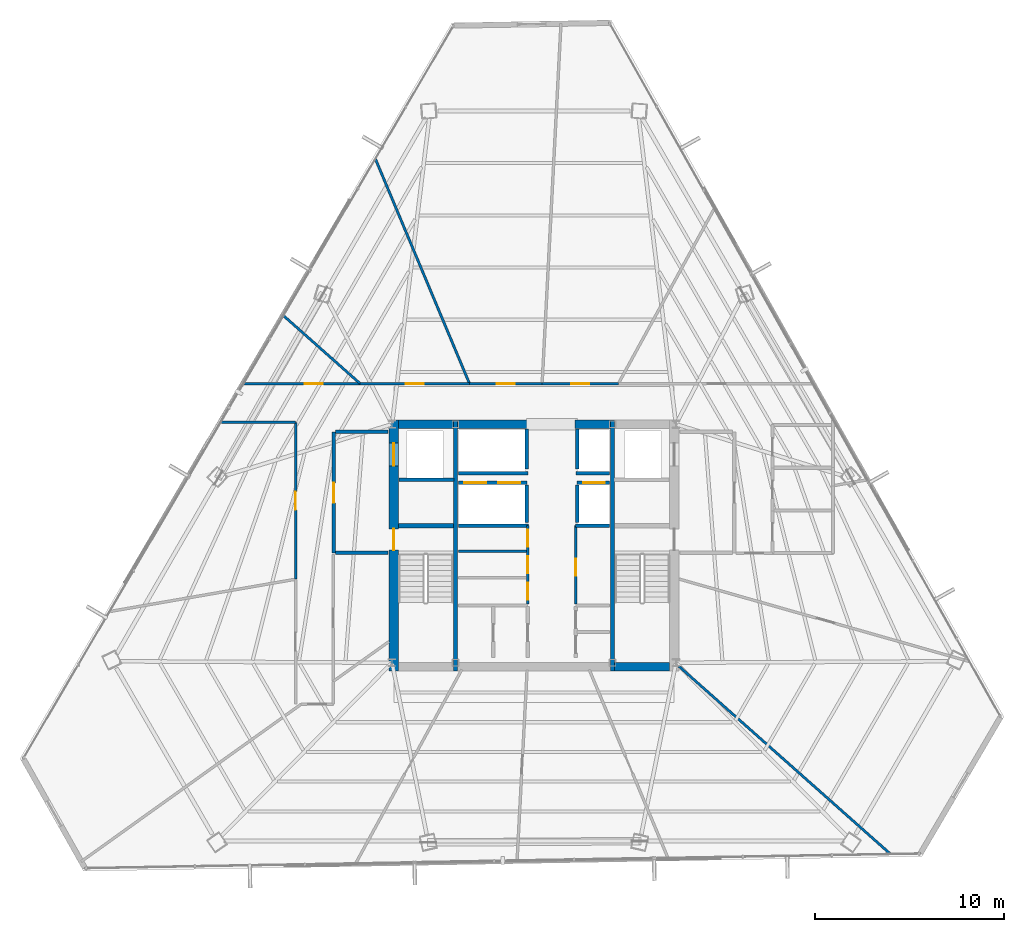
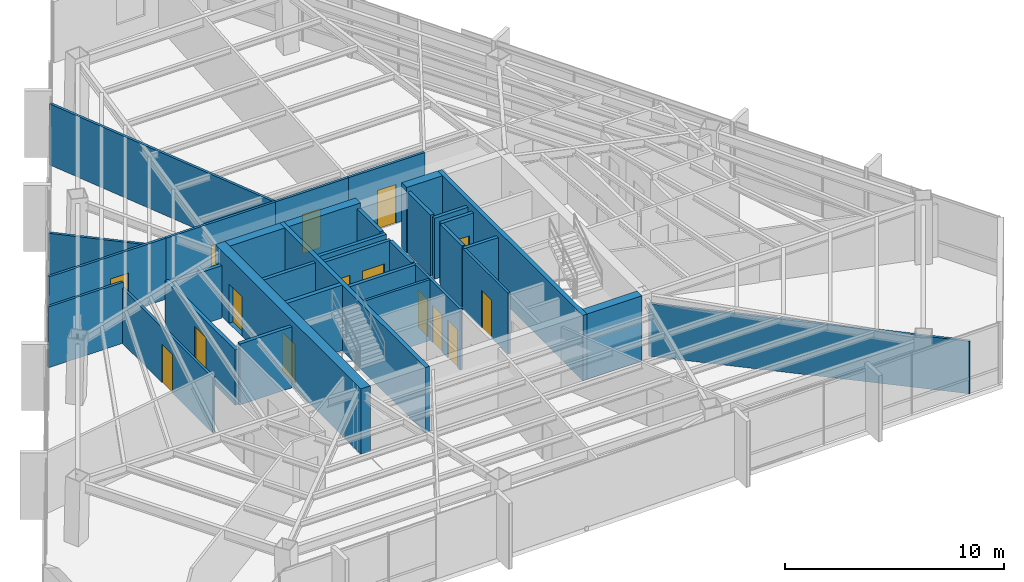
# One storey, part 36 of 42: 34 walls, 15 doors, 15 openings.
"""IFC4 building model written with IfcOpenShell, lengths in metres."""

from ifc_helpers import new_model, si_unit, direction, frame, frame_2d, origin, place, context, subcontext, project, spatial, rectangle, extrude, material, layer, layer_set, type_object, element, fill, save


model = new_model("IFC4")

# Units and contexts
model_context = context("Model", 3, precision=1e-05, world=origin(), true_north=direction((0.0, 1.0)))
body_context = subcontext(model_context, "Body", "Model", "MODEL_VIEW")
ifc_project = project(units=[si_unit("LENGTHUNIT", "METRE"), si_unit("AREAUNIT", "SQUARE_METRE"), si_unit("VOLUMEUNIT", "CUBIC_METRE"), si_unit("PLANEANGLEUNIT", "RADIAN"), si_unit("MASSUNIT", "GRAM", prefix="KILO")], contexts=[model_context])

# Site, building, storey
site_placement = place(None, origin())
site = spatial("IfcSite", under=ifc_project, at=site_placement, CompositionType="ELEMENT")
building_placement = place(site_placement, origin())
building = spatial("IfcBuilding", under=site, at=building_placement, Name="Caelisora Broadcast Tower", CompositionType="ELEMENT")
storey_placement = place(building_placement, frame((0.0, 0.0, 184.050048828125)))
storey = spatial("IfcBuildingStorey", under=building, at=storey_placement, Name="L48", CompositionType="ELEMENT", Elevation=184.050048828125)

# Wall, openings, doors
ifc_material_1 = material(Name="Concrete 50 MPa (AS 3600 S50)", Category="concrete")
ifc_layer_1 = layer(ifc_material_1, 0.5, Name="Concrete 50 MPa (AS 3600 S50)")
ifc_layer_set_1 = layer_set([ifc_layer_1], Name="Concrete 50 MPa (AS 3600 S50)")
wall_type_1 = type_object("IfcWallType", Name="CW2", PredefinedType="SHEAR", material=ifc_layer_set_1)
wall_1_placement = place(storey_placement, frame((30.590087890625, 16.949951171875, 0.0), z_axis=(0.0, 0.0, 1.0), x_axis=(0.0, 1.0, 0.0)))
wall_1 = element("IfcWall", 1, at=wall_1_placement, inside=storey, type_object=wall_type_1, Name="L48 core shear wall CW2", PredefinedType="SHEAR", context=body_context, shape_type="SweptSolid", body=[
    extrude(rectangle(XDim=13.275146484375, YDim=0.5, at=frame_2d((6.6376953125, 0.0))), origin(), (0.0, 0.0, 1.0), 3.64990234375),
])
opening_1_placement = place(wall_1_placement, frame((6.39990234375, 0.0, 0.0)))
opening_1 = element("IfcOpeningElement", 2, at=opening_1_placement, cuts=wall_1, Name="Opening FD04", PredefinedType="OPENING", context=body_context, shape_type="SweptSolid", body=[
    extrude(rectangle(XDim=1.1201171875, YDim=2.14990234375, at=frame_2d((0.56005859375, 1.074951171875))), frame((0.0, 0.261962890625, 0.0), z_axis=(0.0, -1.0, 0.0), x_axis=(1.0, 0.0, 0.0)), (0.0, 0.0, 1.0), 0.52392578125),
])
opening_2_placement = place(wall_1_placement, frame((10.85009765625, 0.0, 0.0)))
opening_2 = element("IfcOpeningElement", 3, at=opening_2_placement, cuts=wall_1, Name="Opening LD04", PredefinedType="OPENING", context=body_context, shape_type="SweptSolid", body=[
    extrude(rectangle(XDim=1.199951171875, YDim=2.199951171875, at=frame_2d((0.60009765625, 1.10009765625))), frame((0.0, 0.261962890625, 0.0), z_axis=(0.0, -1.0, 0.0), x_axis=(1.0, 0.0, 0.0)), (0.0, 0.0, 1.0), 0.52392578125),
])
ifc_material_2 = material(Name="Pressurised Fire-Isolated Stair Door", Category="steel")
door_type_1 = type_object("IfcDoorType", Name="FD04", OperationType="NOTDEFINED", PredefinedType="DOOR", material=ifc_material_2)
door_1_placement = place(opening_1_placement, origin())
door_1 = element("IfcDoor", 4, at=door_1_placement, inside=storey, type_object=door_type_1, Name="L48 door FD04 (L48-DR-ST1)", OperationType="SINGLE_SWING_LEFT", OverallHeight=2.14990234375, OverallWidth=1.1201171875, PredefinedType="DOOR", context=body_context, shape_type="SweptSolid", body=[
    extrude(rectangle(XDim=1.1201171875, YDim=2.14990234375, at=frame_2d((0.56005859375, 1.074951171875))), frame((0.0, 0.02490234375, 0.0), z_axis=(0.0, -1.0, 0.0), x_axis=(1.0, 0.0, 0.0)), (0.0, 0.0, 1.0), 0.050048828125),
])
fill(opening_1, door_1)
ifc_material_3 = material(Name="Emergency Firefighting Lift Sliding Landing Door", Category="steel")
door_type_2 = type_object("IfcDoorType", Name="LD04", OperationType="NOTDEFINED", PredefinedType="DOOR", material=ifc_material_3)
door_2_placement = place(opening_2_placement, origin())
door_2 = element("IfcDoor", 5, at=door_2_placement, inside=storey, type_object=door_type_2, Name="L48 door LD04 (L48-LD-FFL1)", OperationType="SLIDING_TO_LEFT", OverallHeight=2.199951171875, OverallWidth=1.199951171875, PredefinedType="DOOR", context=body_context, shape_type="SweptSolid", body=[
    extrude(rectangle(XDim=1.199951171875, YDim=2.199951171875, at=frame_2d((0.60009765625, 1.10009765625))), frame((0.0, 0.02490234375, 0.0), z_axis=(0.0, -1.0, 0.0), x_axis=(1.0, 0.0, 0.0)), (0.0, 0.0, 1.0), 0.050048828125),
])
fill(opening_2, door_2)

# Walls
ifc_layer_2 = layer(ifc_material_1, 0.449951171875, Name="Concrete 50 MPa (AS 3600 S50)")
ifc_layer_set_2 = layer_set([ifc_layer_2], Name="Concrete 50 MPa (AS 3600 S50)")
wall_type_2 = type_object("IfcWallType", Name="CW5", PredefinedType="SHEAR", material=ifc_layer_set_2)
for number, where, z_axis, x_axis, name in (
    (6, (42.260009765625, 17.175048828125, 0.0), (0.0, 0.0, 1.0), (1.0, 0.0, 0.0), "L48 core shear wall CW5"),
    (7, (30.840087890625, 30.0, 0.0), (0.0, 0.0, 1.0), (1.0, 0.0, 0.0), "L48 core shear wall CW5"),
):
    element("IfcWall", number, at=place(storey_placement, frame(where, z_axis=z_axis, x_axis=x_axis)), inside=storey, type_object=wall_type_2, Name=name, PredefinedType="SHEAR", context=body_context, shape_type="SweptSolid", body=[
        extrude(rectangle(XDim=2.89990234375, YDim=0.449951171875, at=frame_2d((1.449951171875, 0.0))), origin(), (0.0, 0.0, 1.0), 3.64990234375),
    ])
wall_2_placement = place(storey_placement, frame((33.9599609375, 30.0, 0.0), z_axis=(0.0, 0.0, 1.0), x_axis=(1.0, 0.0, 0.0)))
element("IfcWall", 8, at=wall_2_placement, inside=storey, type_object=wall_type_2, Name="L48 core shear wall CW5", PredefinedType="SHEAR", context=body_context, shape_type="SweptSolid", body=[
    extrude(rectangle(XDim=3.780029296875, YDim=0.449951171875, at=frame_2d((1.89013671875, 0.0))), origin(), (0.0, 0.0, 1.0), 3.64990234375),
])
wall_3_placement = place(storey_placement, frame((40.159912109375, 30.0, 0.0), z_axis=(0.0, 0.0, 1.0), x_axis=(1.0, 0.0, 0.0)))
element("IfcWall", 9, at=wall_3_placement, inside=storey, type_object=wall_type_2, Name="L48 core shear wall CW5", PredefinedType="SHEAR", context=body_context, shape_type="SweptSolid", body=[
    extrude(rectangle(XDim=1.880126953125, YDim=0.449951171875, at=frame_2d((0.93994140625, 0.0))), origin(), (0.0, 0.0, 1.0), 3.64990234375),
])
ifc_layer_3 = layer(ifc_material_1, 0.219970703125, Name="Concrete 50 MPa (AS 3600 S50)")
ifc_layer_set_3 = layer_set([ifc_layer_3], Name="Concrete 50 MPa (AS 3600 S50)")
wall_type_3 = type_object("IfcWallType", Name="CW7", PredefinedType="SHEAR", material=ifc_layer_set_3)
for number, where, z_axis, x_axis, name in (
    (10, (33.85009765625, 16.949951171875, 0.0), (0.0, 0.0, 1.0), (0.0, 1.0, 0.0), "L48 core shear wall CW7"),
    (11, (42.14990234375, 16.949951171875, 0.0), (0.0, 0.0, 1.0), (0.0, 1.0, 0.0), "L48 core shear wall CW7"),
):
    element("IfcWall", number, at=place(storey_placement, frame(where, z_axis=z_axis, x_axis=x_axis)), inside=storey, type_object=wall_type_3, Name=name, PredefinedType="SHEAR", context=body_context, shape_type="SweptSolid", body=[
        extrude(rectangle(XDim=13.275146484375, YDim=0.219970703125, at=frame_2d((6.6376953125, 0.0))), origin(), (0.0, 0.0, 1.0), 3.64990234375),
    ])
wall_4_placement = place(storey_placement, frame((30.840087890625, 24.639892578125, 0.0), z_axis=(0.0, 0.0, 1.0), x_axis=(1.0, 0.0, 0.0)))
element("IfcWall", 12, at=wall_4_placement, inside=storey, type_object=wall_type_3, Name="L48 core shear wall CW7", PredefinedType="SHEAR", context=body_context, shape_type="SweptSolid", body=[
    extrude(rectangle(XDim=2.89990234375, YDim=0.219970703125, at=frame_2d((1.449951171875, 0.0))), origin(), (0.0, 0.0, 1.0), 3.64990234375),
])

# Wall, openings, doors
ifc_material_4 = material(Name="Fire-Rated Gypsum Shaft and Compartment Wall", Category="gypsum")
ifc_layer_4 = layer(ifc_material_4, 0.179931640625, Name="Fire-Rated Gypsum Shaft and Compartment Wall")
ifc_layer_set_4 = layer_set([ifc_layer_4], Name="Fire-Rated Gypsum Shaft and Compartment Wall")
wall_type_4 = type_object("IfcWallType", Name="PW2", PredefinedType="PARTITIONING", material=ifc_layer_set_4)
wall_5_placement = place(storey_placement, frame((34.02001953125, 26.89990234375, 0.0), z_axis=(0.0, 0.0, 1.0), x_axis=(1.0, 0.0, 0.0)))
wall_5 = element("IfcWall", 13, at=wall_5_placement, inside=storey, type_object=wall_type_4, Name="L48 fire compartment wall PW2", PredefinedType="PARTITIONING", context=body_context, shape_type="SweptSolid", body=[
    extrude(rectangle(XDim=3.60009765625, YDim=0.179931640625, at=frame_2d((1.800048828125, 0.0))), origin(), (0.0, 0.0, 1.0), 3.39990234375),
])
opening_3_placement = place(wall_5_placement, frame((0.300048828125, 0.0, 0.0)))
opening_3 = element("IfcOpeningElement", 14, at=opening_3_placement, cuts=wall_5, Name="Opening LD02", PredefinedType="OPENING", context=body_context, shape_type="SweptSolid", body=[
    extrude(rectangle(XDim=1.14990234375, YDim=2.199951171875, at=frame_2d((0.574951171875, 1.10009765625))), frame((0.0, 0.10205078125, 0.0), z_axis=(0.0, -1.0, 0.0), x_axis=(1.0, 0.0, 0.0)), (0.0, 0.0, 1.0), 0.203857421875),
])
opening_4_placement = place(wall_5_placement, frame((2.10009765625, 0.0, 0.0)))
opening_4 = element("IfcOpeningElement", 15, at=opening_4_placement, cuts=wall_5, Name="Opening LD02", PredefinedType="OPENING", context=body_context, shape_type="SweptSolid", body=[
    extrude(rectangle(XDim=1.14990234375, YDim=2.199951171875, at=frame_2d((0.574951171875, 1.10009765625))), frame((0.0, 0.10205078125, 0.0), z_axis=(0.0, -1.0, 0.0), x_axis=(1.0, 0.0, 0.0)), (0.0, 0.0, 1.0), 0.203857421875),
])
ifc_material_5 = material(Name="High-Speed Express Lift Sliding Landing Door", Category="steel")
door_type_3 = type_object("IfcDoorType", Name="LD02", OperationType="NOTDEFINED", PredefinedType="DOOR", material=ifc_material_5)
door_3_placement = place(opening_3_placement, origin())
door_3 = element("IfcDoor", 16, at=door_3_placement, inside=storey, type_object=door_type_3, Name="L48 door LD02 (L48-LD-PLM1)", OperationType="SLIDING_TO_LEFT", OverallHeight=2.199951171875, OverallWidth=1.14990234375, PredefinedType="DOOR", context=body_context, shape_type="SweptSolid", body=[
    extrude(rectangle(XDim=1.14990234375, YDim=2.199951171875, at=frame_2d((0.574951171875, 1.10009765625))), frame((0.0, 0.02490234375, 0.0), z_axis=(0.0, -1.0, 0.0), x_axis=(1.0, 0.0, 0.0)), (0.0, 0.0, 1.0), 0.050048828125),
])
fill(opening_3, door_3)
door_4_placement = place(opening_4_placement, origin())
door_4 = element("IfcDoor", 17, at=door_4_placement, inside=storey, type_object=door_type_3, Name="L48 door LD02 (L48-LD-PLM2)", OperationType="SLIDING_TO_RIGHT", OverallHeight=2.199951171875, OverallWidth=1.14990234375, PredefinedType="DOOR", context=body_context, shape_type="SweptSolid", body=[
    extrude(rectangle(XDim=1.14990234375, YDim=2.199951171875, at=frame_2d((0.574951171875, 1.10009765625))), frame((0.0, 0.02490234375, 0.0), z_axis=(0.0, -1.0, 0.0), x_axis=(1.0, 0.0, 0.0)), (0.0, 0.0, 1.0), 0.050048828125),
])
fill(opening_4, door_4)

# Wall, opening, door
wall_6_placement = place(storey_placement, frame((40.280029296875, 26.89990234375, 0.0), z_axis=(0.0, 0.0, 1.0), x_axis=(1.0, 0.0, 0.0)))
wall_6 = element("IfcWall", 18, at=wall_6_placement, inside=storey, type_object=wall_type_4, Name="L48 fire compartment wall PW2", PredefinedType="PARTITIONING", context=body_context, shape_type="SweptSolid", body=[
    extrude(rectangle(XDim=1.699951171875, YDim=0.179931640625, at=frame_2d((0.85009765625, 0.0))), origin(), (0.0, 0.0, 1.0), 3.39990234375),
])
opening_5_placement = place(wall_6_placement, frame((0.320068359375, 0.0, 0.0)))
opening_5 = element("IfcOpeningElement", 19, at=opening_5_placement, cuts=wall_6, Name="Opening LD02", PredefinedType="OPENING", context=body_context, shape_type="SweptSolid", body=[
    extrude(rectangle(XDim=1.14990234375, YDim=2.199951171875, at=frame_2d((0.574951171875, 1.10009765625))), frame((0.0, 0.10205078125, 0.0), z_axis=(0.0, -1.0, 0.0), x_axis=(1.0, 0.0, 0.0)), (0.0, 0.0, 1.0), 0.203857421875),
])
door_5_placement = place(opening_5_placement, origin())
door_5 = element("IfcDoor", 20, at=door_5_placement, inside=storey, type_object=door_type_3, Name="L48 door LD02 (L48-LD-PLM3)", OperationType="SLIDING_TO_LEFT", OverallHeight=2.199951171875, OverallWidth=1.14990234375, PredefinedType="DOOR", context=body_context, shape_type="SweptSolid", body=[
    extrude(rectangle(XDim=1.14990234375, YDim=2.199951171875, at=frame_2d((0.574951171875, 1.10009765625))), frame((0.0, 0.02490234375, 0.0), z_axis=(0.0, -1.0, 0.0), x_axis=(1.0, 0.0, 0.0)), (0.0, 0.0, 1.0), 0.050048828125),
])
fill(opening_5, door_5)

# Walls
for number, where, z_axis, x_axis, name in (
    (21, (37.6201171875, 24.800048828125, 0.0), (0.0, 0.0, 1.0), (0.0, 1.0, 0.0), "L48 fire compartment wall PW2"),
    (22, (40.280029296875, 24.800048828125, 0.0), (0.0, 0.0, 1.0), (0.0, 1.0, 0.0), "L48 fire compartment wall PW2"),
):
    element("IfcWall", number, at=place(storey_placement, frame(where, z_axis=z_axis, x_axis=x_axis)), inside=storey, type_object=wall_type_4, Name=name, PredefinedType="PARTITIONING", context=body_context, shape_type="SweptSolid", body=[
        extrude(rectangle(XDim=2.0, YDim=0.179931640625, at=frame_2d((1.0, 0.0))), origin(), (0.0, 0.0, 1.0), 3.39990234375),
    ])
wall_7_placement = place(storey_placement, frame((34.02001953125, 24.639892578125, 0.0), z_axis=(0.0, 0.0, 1.0), x_axis=(1.0, 0.0, 0.0)))
element("IfcWall", 23, at=wall_7_placement, inside=storey, type_object=wall_type_4, Name="L48 fire compartment wall PW2", PredefinedType="PARTITIONING", context=body_context, shape_type="SweptSolid", body=[
    extrude(rectangle(XDim=3.679931640625, YDim=0.179931640625, at=frame_2d((1.83984375, 0.0))), origin(), (0.0, 0.0, 1.0), 3.39990234375),
])
wall_8_placement = place(storey_placement, frame((40.199951171875, 24.639892578125, 0.0), z_axis=(0.0, 0.0, 1.0), x_axis=(1.0, 0.0, 0.0)))
element("IfcWall", 24, at=wall_8_placement, inside=storey, type_object=wall_type_4, Name="L48 fire compartment wall PW2", PredefinedType="PARTITIONING", context=body_context, shape_type="SweptSolid", body=[
    extrude(rectangle(XDim=1.780029296875, YDim=0.179931640625, at=frame_2d((0.89013671875, 0.0))), origin(), (0.0, 0.0, 1.0), 3.39990234375),
])
wall_9_placement = place(storey_placement, frame((34.02001953125, 27.419921875, 0.0), z_axis=(0.0, 0.0, 1.0), x_axis=(1.0, 0.0, 0.0)))
element("IfcWall", 25, at=wall_9_placement, inside=storey, type_object=wall_type_4, Name="L48 fire compartment wall PW2", PredefinedType="PARTITIONING", context=body_context, shape_type="SweptSolid", body=[
    extrude(rectangle(XDim=3.659912109375, YDim=0.179931640625, at=frame_2d((1.830078125, 0.0))), origin(), (0.0, 0.0, 1.0), 3.39990234375),
])
wall_10_placement = place(storey_placement, frame((40.219970703125, 27.419921875, 0.0), z_axis=(0.0, 0.0, 1.0), x_axis=(1.0, 0.0, 0.0)))
element("IfcWall", 26, at=wall_10_placement, inside=storey, type_object=wall_type_4, Name="L48 fire compartment wall PW2", PredefinedType="PARTITIONING", context=body_context, shape_type="SweptSolid", body=[
    extrude(rectangle(XDim=1.760009765625, YDim=0.179931640625, at=frame_2d((0.8798828125, 0.0))), origin(), (0.0, 0.0, 1.0), 3.39990234375),
])
for number, where, z_axis, x_axis, name in (
    (27, (37.6201171875, 27.639892578125, 0.0), (0.0, 0.0, 1.0), (0.0, 1.0, 0.0), "L48 fire compartment wall PW2"),
    (28, (40.280029296875, 27.639892578125, 0.0), (0.0, 0.0, 1.0), (0.0, 1.0, 0.0), "L48 fire compartment wall PW2"),
):
    element("IfcWall", number, at=place(storey_placement, frame(where, z_axis=z_axis, x_axis=x_axis)), inside=storey, type_object=wall_type_4, Name=name, PredefinedType="PARTITIONING", context=body_context, shape_type="SweptSolid", body=[
        extrude(rectangle(XDim=2.110107421875, YDim=0.179931640625, at=frame_2d((1.05517578125, 0.0))), origin(), (0.0, 0.0, 1.0), 3.39990234375),
    ])

# Wall, opening, door
wall_11_placement = place(storey_placement, frame((27.419921875, 23.199951171875, 0.0), z_axis=(0.0, 0.0, 1.0), x_axis=(0.0, 1.0, 0.0)))
wall_11 = element("IfcWall", 29, at=wall_11_placement, inside=storey, type_object=wall_type_4, Name="L48 fire compartment wall PW2", PredefinedType="PARTITIONING", context=body_context, shape_type="SweptSolid", body=[
    extrude(rectangle(XDim=6.400146484375, YDim=0.179931640625, at=frame_2d((3.2001953125, 0.0))), origin(), (0.0, 0.0, 1.0), 3.07763671875),
])
opening_6_placement = place(wall_11_placement, frame((2.64990234375, 0.0, 0.0)))
opening_6 = element("IfcOpeningElement", 30, at=opening_6_placement, cuts=wall_11, Name="Opening FD02", PredefinedType="OPENING", context=body_context, shape_type="SweptSolid", body=[
    extrude(rectangle(XDim=1.050048828125, YDim=2.14990234375, at=frame_2d((0.52490234375, 1.074951171875))), frame((0.0, 0.10205078125, 0.0), z_axis=(0.0, -1.0, 0.0), x_axis=(1.0, 0.0, 0.0)), (0.0, 0.0, 1.0), 0.203857421875),
])
ifc_material_6 = material(Name="Single-Leaf Steel Fire Lobby Door", Category="steel")
door_type_4 = type_object("IfcDoorType", Name="FD02", OperationType="NOTDEFINED", PredefinedType="DOOR", material=ifc_material_6)
door_6_placement = place(opening_6_placement, origin())
door_6 = element("IfcDoor", 31, at=door_6_placement, inside=storey, type_object=door_type_4, Name="L48 door FD02 (L48-DR-P01D1)", OperationType="SINGLE_SWING_LEFT", OverallHeight=2.14990234375, OverallWidth=1.050048828125, PredefinedType="DOOR", context=body_context, shape_type="SweptSolid", body=[
    extrude(rectangle(XDim=1.050048828125, YDim=2.14990234375, at=frame_2d((0.52490234375, 1.074951171875))), frame((0.0, 0.02490234375, 0.0), z_axis=(0.0, -1.0, 0.0), x_axis=(1.0, 0.0, 0.0)), (0.0, 0.0, 1.0), 0.050048828125),
])
fill(opening_6, door_6)

# Walls
wall_12_placement = place(storey_placement, frame((27.52001953125, 23.199951171875, 0.0), z_axis=(0.0, 0.0, 1.0), x_axis=(1.0, 0.0, 0.0)))
element("IfcWall", 32, at=wall_12_placement, inside=storey, type_object=wall_type_4, Name="L48 fire compartment wall PW2", PredefinedType="PARTITIONING", context=body_context, shape_type="SweptSolid", body=[
    extrude(rectangle(XDim=2.760009765625, YDim=0.179931640625, at=frame_2d((1.3798828125, 0.0))), origin(), (0.0, 0.0, 1.0), 3.39990234375),
])
wall_13_placement = place(storey_placement, frame((27.52001953125, 29.60009765625, 0.0), z_axis=(0.0, 0.0, 1.0), x_axis=(1.0, 0.0, 0.0)))
element("IfcWall", 33, at=wall_13_placement, inside=storey, type_object=wall_type_4, Name="L48 fire compartment wall PW2", PredefinedType="PARTITIONING", context=body_context, shape_type="SweptSolid", body=[
    extrude(rectangle(XDim=2.760009765625, YDim=0.179931640625, at=frame_2d((1.3798828125, 0.0))), origin(), (0.0, 0.0, 1.0), 2.924560546875),
])
wall_14_placement = place(storey_placement, frame((30.860107421875, 27.070068359375, 0.0), z_axis=(0.0, 0.0, 1.0), x_axis=(1.0, 0.0, 0.0)))
element("IfcWall", 34, at=wall_14_placement, inside=storey, type_object=wall_type_4, Name="L48 fire compartment wall PW2", PredefinedType="PARTITIONING", context=body_context, shape_type="SweptSolid", body=[
    extrude(rectangle(XDim=2.89990234375, YDim=0.179931640625, at=frame_2d((1.449951171875, 0.0))), origin(), (0.0, 0.0, 1.0), 3.39990234375),
])
ifc_material_7 = material(Name="Acoustic Steel-Stud Plasterboard Partition", Category="gypsum")
ifc_layer_5 = layer(ifc_material_7, 0.1298828125, Name="Acoustic Steel-Stud Plasterboard Partition")
ifc_layer_set_5 = layer_set([ifc_layer_5], Name="Acoustic Steel-Stud Plasterboard Partition")
wall_type_5 = type_object("IfcWallType", Name="PW3", PredefinedType="PARTITIONING", material=ifc_layer_set_5)
wall_15_placement = place(storey_placement, frame((34.02001953125, 23.280029296875, 0.0), z_axis=(0.0, 0.0, 1.0), x_axis=(1.0, 0.0, 0.0)))
element("IfcWall", 35, at=wall_15_placement, inside=storey, type_object=wall_type_5, Name="L48 internal partition PW3", PredefinedType="PARTITIONING", context=body_context, shape_type="SweptSolid", body=[
    extrude(rectangle(XDim=3.580078125, YDim=0.1298828125, at=frame_2d((1.7900390625, 0.0))), origin(), (0.0, 0.0, 1.0), 3.39990234375),
])

# Wall, openings, doors
wall_16_placement = place(storey_placement, frame((37.679931640625, 20.5, 0.0), z_axis=(0.0, 0.0, 1.0), x_axis=(0.0, 1.0, 0.0)))
wall_16 = element("IfcWall", 36, at=wall_16_placement, inside=storey, type_object=wall_type_5, Name="L48 internal partition PW3", PredefinedType="PARTITIONING", context=body_context, shape_type="SweptSolid", body=[
    extrude(rectangle(XDim=4.139892578125, YDim=0.1298828125, at=frame_2d((2.06982421875, 0.0))), origin(), (0.0, 0.0, 1.0), 3.39990234375),
])
opening_7_placement = place(wall_16_placement, frame((0.219970703125, 0.0, 0.0)))
opening_7 = element("IfcOpeningElement", 37, at=opening_7_placement, cuts=wall_16, Name="Opening FD03", PredefinedType="OPENING", context=body_context, shape_type="SweptSolid", body=[
    extrude(rectangle(XDim=0.89990234375, YDim=2.10009765625, at=frame_2d((0.449951171875, 1.050048828125))), frame((0.0, 0.076904296875, 0.0), z_axis=(0.0, -1.0, 0.0), x_axis=(1.0, 0.0, 0.0)), (0.0, 0.0, 1.0), 0.15380859375),
])
opening_8_placement = place(wall_16_placement, frame((1.6201171875, 0.0, 0.0)))
opening_8 = element("IfcOpeningElement", 38, at=opening_8_placement, cuts=wall_16, Name="Opening FD03", PredefinedType="OPENING", context=body_context, shape_type="SweptSolid", body=[
    extrude(rectangle(XDim=0.89990234375, YDim=2.10009765625, at=frame_2d((0.449951171875, 1.050048828125))), frame((0.0, 0.076904296875, 0.0), z_axis=(0.0, -1.0, 0.0), x_axis=(1.0, 0.0, 0.0)), (0.0, 0.0, 1.0), 0.15380859375),
])
opening_9_placement = place(wall_16_placement, frame((3.02001953125, 0.0, 0.0)))
opening_9 = element("IfcOpeningElement", 39, at=opening_9_placement, cuts=wall_16, Name="Opening FD03", PredefinedType="OPENING", context=body_context, shape_type="SweptSolid", body=[
    extrude(rectangle(XDim=0.89990234375, YDim=2.10009765625, at=frame_2d((0.449951171875, 1.050048828125))), frame((0.0, 0.076904296875, 0.0), z_axis=(0.0, -1.0, 0.0), x_axis=(1.0, 0.0, 0.0)), (0.0, 0.0, 1.0), 0.15380859375),
])
ifc_material_8 = material(Name="Single-Leaf Steel Riser Fire Access Door", Category="steel")
door_type_5 = type_object("IfcDoorType", Name="FD03", OperationType="NOTDEFINED", PredefinedType="DOOR", material=ifc_material_8)
door_7_placement = place(opening_7_placement, origin())
door_7 = element("IfcDoor", 40, at=door_7_placement, inside=storey, type_object=door_type_5, Name="L48 door FD03 (L48-DR-P13D1)", OperationType="SINGLE_SWING_LEFT", OverallHeight=2.10009765625, OverallWidth=0.89990234375, PredefinedType="DOOR", context=body_context, shape_type="SweptSolid", body=[
    extrude(rectangle(XDim=0.89990234375, YDim=2.10009765625, at=frame_2d((0.449951171875, 1.050048828125))), frame((0.0, 0.02490234375, 0.0), z_axis=(0.0, -1.0, 0.0), x_axis=(1.0, 0.0, 0.0)), (0.0, 0.0, 1.0), 0.050048828125),
])
fill(opening_7, door_7)
door_8_placement = place(opening_8_placement, origin())
door_8 = element("IfcDoor", 41, at=door_8_placement, inside=storey, type_object=door_type_5, Name="L48 door FD03 (L48-DR-P13D2)", OperationType="SINGLE_SWING_RIGHT", OverallHeight=2.10009765625, OverallWidth=0.89990234375, PredefinedType="DOOR", context=body_context, shape_type="SweptSolid", body=[
    extrude(rectangle(XDim=0.89990234375, YDim=2.10009765625, at=frame_2d((0.449951171875, 1.050048828125))), frame((0.0, 0.02490234375, 0.0), z_axis=(0.0, -1.0, 0.0), x_axis=(1.0, 0.0, 0.0)), (0.0, 0.0, 1.0), 0.050048828125),
])
fill(opening_8, door_8)
door_9_placement = place(opening_9_placement, origin())
door_9 = element("IfcDoor", 42, at=door_9_placement, inside=storey, type_object=door_type_5, Name="L48 door FD03 (L48-DR-P13D3)", OperationType="SINGLE_SWING_LEFT", OverallHeight=2.10009765625, OverallWidth=0.89990234375, PredefinedType="DOOR", context=body_context, shape_type="SweptSolid", body=[
    extrude(rectangle(XDim=0.89990234375, YDim=2.10009765625, at=frame_2d((0.449951171875, 1.050048828125))), frame((0.0, 0.02490234375, 0.0), z_axis=(0.0, -1.0, 0.0), x_axis=(1.0, 0.0, 0.0)), (0.0, 0.0, 1.0), 0.050048828125),
])
fill(opening_9, door_9)

# Wall, opening, door
wall_17_placement = place(storey_placement, frame((40.199951171875, 20.5, 0.0), z_axis=(0.0, 0.0, 1.0), x_axis=(0.0, 1.0, 0.0)))
wall_17 = element("IfcWall", 43, at=wall_17_placement, inside=storey, type_object=wall_type_5, Name="L48 internal partition PW3", PredefinedType="PARTITIONING", context=body_context, shape_type="SweptSolid", body=[
    extrude(rectangle(XDim=4.139892578125, YDim=0.1298828125, at=frame_2d((2.06982421875, 0.0))), origin(), (0.0, 0.0, 1.0), 3.39990234375),
])
opening_10_placement = place(wall_17_placement, frame((1.5, 0.0, 0.0)))
opening_10 = element("IfcOpeningElement", 44, at=opening_10_placement, cuts=wall_17, Name="Opening FD03", PredefinedType="OPENING", context=body_context, shape_type="SweptSolid", body=[
    extrude(rectangle(XDim=0.89990234375, YDim=2.10009765625, at=frame_2d((0.449951171875, 1.050048828125))), frame((0.0, 0.076904296875, 0.0), z_axis=(0.0, -1.0, 0.0), x_axis=(1.0, 0.0, 0.0)), (0.0, 0.0, 1.0), 0.15380859375),
])
door_10_placement = place(opening_10_placement, origin())
door_10 = element("IfcDoor", 45, at=door_10_placement, inside=storey, type_object=door_type_5, Name="L48 door FD03 (L48-DR-P14D1)", OperationType="SINGLE_SWING_RIGHT", OverallHeight=2.10009765625, OverallWidth=0.89990234375, PredefinedType="DOOR", context=body_context, shape_type="SweptSolid", body=[
    extrude(rectangle(XDim=0.89990234375, YDim=2.10009765625, at=frame_2d((0.449951171875, 1.050048828125))), frame((0.0, 0.02490234375, 0.0), z_axis=(0.0, -1.0, 0.0), x_axis=(1.0, 0.0, 0.0)), (0.0, 0.0, 1.0), 0.050048828125),
])
fill(opening_10, door_10)

# Walls
wall_18_placement = place(storey_placement, frame((45.656005859375, 17.2099609375, 0.0), z_axis=(0.0, 0.0, 1.0), x_axis=(0.748005792128, -0.663692198947, 0.0)))
element("IfcWall", 46, at=wall_18_placement, inside=storey, type_object=wall_type_5, Name="L48 internal partition PW3", PredefinedType="PARTITIONING", context=body_context, shape_type="SweptSolid", body=[
    extrude(rectangle(XDim=14.964599609375, YDim=0.1298828125, at=frame_2d((7.482421875, 0.0))), origin(), (0.0, 0.0, 1.0), 2.924560546875),
])
wall_19_placement = place(storey_placement, frame((29.61767578125, 44.02587890625, 0.0), z_axis=(0.0, 0.0, 1.0), x_axis=(0.386205658776, -0.922412700004, 0.0)))
element("IfcWall", 47, at=wall_19_placement, inside=storey, type_object=wall_type_5, Name="L48 internal partition PW3", PredefinedType="PARTITIONING", context=body_context, shape_type="SweptSolid", body=[
    extrude(rectangle(XDim=12.869384765625, YDim=0.1298828125, at=frame_2d((6.4345703125, 0.0))), origin(), (0.0, 0.0, 1.0), 3.39990234375),
])

# Wall, opening, door
wall_20_placement = place(storey_placement, frame((25.39990234375, 30.094970703125, 0.0), z_axis=(0.0, 0.0, 1.0), x_axis=(0.0, -1.0, 0.0)))
wall_20 = element("IfcWall", 48, at=wall_20_placement, inside=storey, type_object=wall_type_5, Name="L48 internal partition PW3", PredefinedType="PARTITIONING", context=body_context, shape_type="SweptSolid", body=[
    extrude(rectangle(XDim=8.280029296875, YDim=0.1298828125, at=frame_2d((4.14013671875, 0.0))), origin(), (0.0, 0.0, 1.0), 3.07763671875),
])
opening_11_placement = place(wall_20_placement, frame((3.659912109375, 0.0, 0.0)))
opening_11 = element("IfcOpeningElement", 49, at=opening_11_placement, cuts=wall_20, Name="Opening D01", PredefinedType="OPENING", context=body_context, shape_type="SweptSolid", body=[
    extrude(rectangle(XDim=0.9599609375, YDim=2.14990234375, at=frame_2d((0.47998046875, 1.074951171875))), frame((0.0, 0.076904296875, 0.0), z_axis=(0.0, -1.0, 0.0), x_axis=(1.0, 0.0, 0.0)), (0.0, 0.0, 1.0), 0.15380859375),
])
ifc_material_9 = material(Name="Solid-Core Timber Acoustic Office Door", Category="wood")
door_type_6 = type_object("IfcDoorType", Name="D01", OperationType="NOTDEFINED", PredefinedType="DOOR", material=ifc_material_9)
door_11_placement = place(opening_11_placement, origin())
door_11 = element("IfcDoor", 50, at=door_11_placement, inside=storey, type_object=door_type_6, Name="L48 door D01 (L48-DR-P43D1)", OperationType="SINGLE_SWING_LEFT", OverallHeight=2.14990234375, OverallWidth=0.9599609375, PredefinedType="DOOR", context=body_context, shape_type="SweptSolid", body=[
    extrude(rectangle(XDim=0.9599609375, YDim=2.14990234375, at=frame_2d((0.47998046875, 1.074951171875))), frame((0.0, 0.02490234375, 0.0), z_axis=(0.0, -1.0, 0.0), x_axis=(1.0, 0.0, 0.0)), (0.0, 0.0, 1.0), 0.050048828125),
])
fill(opening_11, door_11)

wall_21_placement = place(storey_placement, frame((22.64501953125, 32.14990234375, 0.0), z_axis=(0.0, 0.0, 1.0), x_axis=(1.0, 0.0, 0.0)))
wall_21 = element("IfcWall", 51, at=wall_21_placement, inside=storey, type_object=wall_type_5, Name="L48 internal partition PW3", PredefinedType="PARTITIONING", context=body_context, shape_type="SweptSolid", body=[
    extrude(rectangle(XDim=6.159912109375, YDim=0.1298828125, at=frame_2d((3.080078125, 0.0))), origin(), (0.0, 0.0, 1.0), 3.39990234375),
])
opening_12_placement = place(wall_21_placement, frame((3.239990234375, 0.0, 0.0)))
opening_12 = element("IfcOpeningElement", 52, at=opening_12_placement, cuts=wall_21, Name="Opening D01", PredefinedType="OPENING", context=body_context, shape_type="SweptSolid", body=[
    extrude(rectangle(XDim=0.9599609375, YDim=2.14990234375, at=frame_2d((0.47998046875, 1.074951171875))), frame((0.0, 0.076904296875, 0.0), z_axis=(0.0, -1.0, 0.0), x_axis=(1.0, 0.0, 0.0)), (0.0, 0.0, 1.0), 0.15380859375),
])
door_12_placement = place(opening_12_placement, origin())
door_12 = element("IfcDoor", 53, at=door_12_placement, inside=storey, type_object=door_type_6, Name="L48 door D01 (L48-DR-P46D1)", OperationType="SINGLE_SWING_RIGHT", OverallHeight=2.14990234375, OverallWidth=0.9599609375, PredefinedType="DOOR", context=body_context, shape_type="SweptSolid", body=[
    extrude(rectangle(XDim=0.9599609375, YDim=2.14990234375, at=frame_2d((0.47998046875, 1.074951171875))), frame((0.0, 0.02490234375, 0.0), z_axis=(0.0, -1.0, 0.0), x_axis=(1.0, 0.0, 0.0)), (0.0, 0.0, 1.0), 0.050048828125),
])
fill(opening_12, door_12)

wall_22_placement = place(storey_placement, frame((28.81494140625, 32.14990234375, 0.0), z_axis=(0.0, 0.0, 1.0), x_axis=(1.0, 0.0, 0.0)))
wall_22 = element("IfcWall", 54, at=wall_22_placement, inside=storey, type_object=wall_type_5, Name="L48 internal partition PW3", PredefinedType="PARTITIONING", context=body_context, shape_type="SweptSolid", body=[
    extrude(rectangle(XDim=5.77001953125, YDim=0.1298828125, at=frame_2d((2.885009765625, 0.0))), origin(), (0.0, 0.0, 1.0), 3.39990234375),
])
opening_13_placement = place(wall_22_placement, frame((2.405029296875, 0.0, 0.0)))
opening_13 = element("IfcOpeningElement", 55, at=opening_13_placement, cuts=wall_22, Name="Opening D01", PredefinedType="OPENING", context=body_context, shape_type="SweptSolid", body=[
    extrude(rectangle(XDim=0.9599609375, YDim=2.14990234375, at=frame_2d((0.47998046875, 1.074951171875))), frame((0.0, 0.076904296875, 0.0), z_axis=(0.0, -1.0, 0.0), x_axis=(1.0, 0.0, 0.0)), (0.0, 0.0, 1.0), 0.15380859375),
])
door_13_placement = place(opening_13_placement, origin())
door_13 = element("IfcDoor", 56, at=door_13_placement, inside=storey, type_object=door_type_6, Name="L48 door D01 (L48-DR-P47D1)", OperationType="SINGLE_SWING_LEFT", OverallHeight=2.14990234375, OverallWidth=0.9599609375, PredefinedType="DOOR", context=body_context, shape_type="SweptSolid", body=[
    extrude(rectangle(XDim=0.9599609375, YDim=2.14990234375, at=frame_2d((0.47998046875, 1.074951171875))), frame((0.0, 0.02490234375, 0.0), z_axis=(0.0, -1.0, 0.0), x_axis=(1.0, 0.0, 0.0)), (0.0, 0.0, 1.0), 0.050048828125),
])
fill(opening_13, door_13)

# Walls
wall_23_placement = place(storey_placement, frame((24.7548828125, 35.74365234375, 0.0), z_axis=(0.0, 0.0, 1.0), x_axis=(0.748356606389, -0.663296607615, 0.0)))
element("IfcWall", 57, at=wall_23_placement, inside=storey, type_object=wall_type_5, Name="L48 internal partition PW3", PredefinedType="PARTITIONING", context=body_context, shape_type="SweptSolid", body=[
    extrude(rectangle(XDim=5.413330078125, YDim=0.1298828125, at=frame_2d((2.70654296875, 0.0))), origin(), (0.0, 0.0, 1.0), 2.924560546875),
])
wall_24_placement = place(storey_placement, frame((21.44140625, 30.10009765625, 0.0), z_axis=(0.0, 0.0, 1.0), x_axis=(1.0, 0.0, 0.0)))
element("IfcWall", 58, at=wall_24_placement, inside=storey, type_object=wall_type_5, Name="L48 internal partition PW3", PredefinedType="PARTITIONING", context=body_context, shape_type="SweptSolid", body=[
    extrude(rectangle(XDim=3.95361328125, YDim=0.1298828125, at=frame_2d((1.976806640625, 0.0))), origin(), (0.0, 0.0, 1.0), 3.39990234375),
])

# Wall, opening, door
wall_25_placement = place(storey_placement, frame((38.43505859375, 32.14990234375, 0.0), z_axis=(0.0, 0.0, 1.0), x_axis=(1.0, 0.0, 0.0)))
wall_25 = element("IfcWall", 59, at=wall_25_placement, inside=storey, type_object=wall_type_5, Name="L48 internal partition PW3", PredefinedType="PARTITIONING", context=body_context, shape_type="SweptSolid", body=[
    extrude(rectangle(XDim=4.02001953125, YDim=0.1298828125, at=frame_2d((2.010009765625, 0.0))), origin(), (0.0, 0.0, 1.0), 3.39990234375),
])
opening_14_placement = place(wall_25_placement, frame((1.530029296875, 0.0, 0.0)))
opening_14 = element("IfcOpeningElement", 60, at=opening_14_placement, cuts=wall_25, Name="Opening D01", PredefinedType="OPENING", context=body_context, shape_type="SweptSolid", body=[
    extrude(rectangle(XDim=0.9599609375, YDim=2.14990234375, at=frame_2d((0.47998046875, 1.074951171875))), frame((0.0, 0.076904296875, 0.0), z_axis=(0.0, -1.0, 0.0), x_axis=(1.0, 0.0, 0.0)), (0.0, 0.0, 1.0), 0.15380859375),
])
door_14_placement = place(opening_14_placement, origin())
door_14 = element("IfcDoor", 61, at=door_14_placement, inside=storey, type_object=door_type_6, Name="L48 door D01 (L48-DR-P50D1)", OperationType="SINGLE_SWING_RIGHT", OverallHeight=2.14990234375, OverallWidth=0.9599609375, PredefinedType="DOOR", context=body_context, shape_type="SweptSolid", body=[
    extrude(rectangle(XDim=0.9599609375, YDim=2.14990234375, at=frame_2d((0.47998046875, 1.074951171875))), frame((0.0, 0.02490234375, 0.0), z_axis=(0.0, -1.0, 0.0), x_axis=(1.0, 0.0, 0.0)), (0.0, 0.0, 1.0), 0.050048828125),
])
fill(opening_14, door_14)

wall_26_placement = place(storey_placement, frame((34.594970703125, 32.14990234375, 0.0), z_axis=(0.0, 0.0, 1.0), x_axis=(1.0, 0.0, 0.0)))
wall_26 = element("IfcWall", 62, at=wall_26_placement, inside=storey, type_object=wall_type_5, Name="L48 internal partition PW3", PredefinedType="PARTITIONING", context=body_context, shape_type="SweptSolid", body=[
    extrude(rectangle(XDim=3.830078125, YDim=0.1298828125, at=frame_2d((1.9150390625, 0.0))), origin(), (0.0, 0.0, 1.0), 3.39990234375),
])
opening_15_placement = place(wall_26_placement, frame((1.43505859375, 0.0, 0.0)))
opening_15 = element("IfcOpeningElement", 63, at=opening_15_placement, cuts=wall_26, Name="Opening D01", PredefinedType="OPENING", context=body_context, shape_type="SweptSolid", body=[
    extrude(rectangle(XDim=0.9599609375, YDim=2.14990234375, at=frame_2d((0.47998046875, 1.074951171875))), frame((0.0, 0.076904296875, 0.0), z_axis=(0.0, -1.0, 0.0), x_axis=(1.0, 0.0, 0.0)), (0.0, 0.0, 1.0), 0.15380859375),
])
door_15_placement = place(opening_15_placement, origin())
door_15 = element("IfcDoor", 64, at=door_15_placement, inside=storey, type_object=door_type_6, Name="L48 door D01 (L48-DR-P51D1)", OperationType="SINGLE_SWING_LEFT", OverallHeight=2.14990234375, OverallWidth=0.9599609375, PredefinedType="DOOR", context=body_context, shape_type="SweptSolid", body=[
    extrude(rectangle(XDim=0.9599609375, YDim=2.14990234375, at=frame_2d((0.47998046875, 1.074951171875))), frame((0.0, 0.02490234375, 0.0), z_axis=(0.0, -1.0, 0.0), x_axis=(1.0, 0.0, 0.0)), (0.0, 0.0, 1.0), 0.050048828125),
])
fill(opening_15, door_15)

save(model, "model.ifc")
